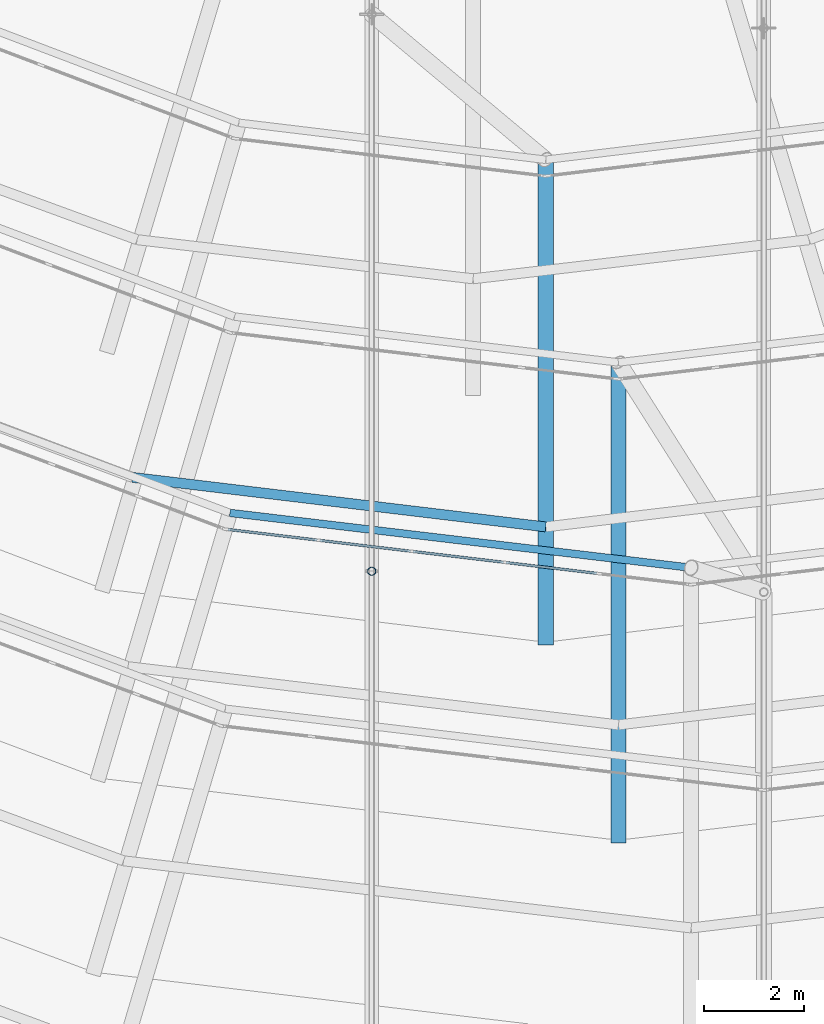
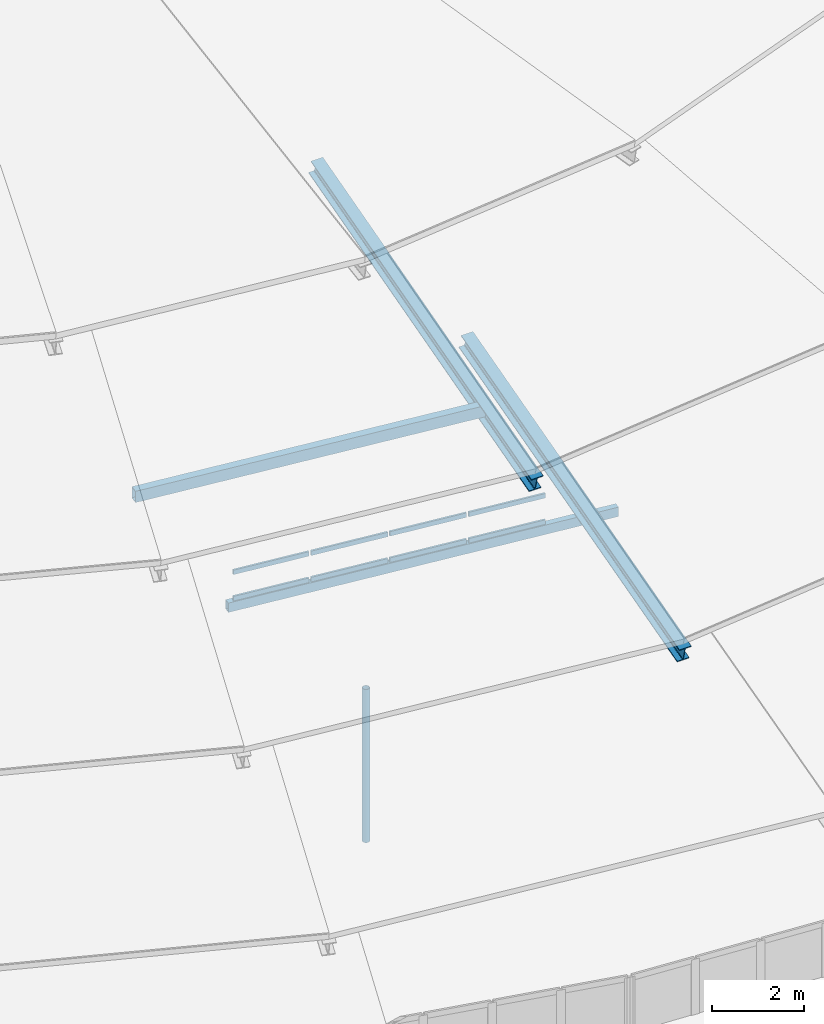
# One storey, part 12 of 173: 13 members, 1 element without a shape of its own.
"""IFC4 building model written with IfcOpenShell, lengths in metres."""

import ifcopenshell
import ifcopenshell.guid

model = None  # the IFC model being written
_history = None  # IfcOwnerHistory: only IFC2X3 demands one
_inside = {}  # id of a spatial element -> (the spatial element, [elements in it])
_under = {}  # id of a project, library or spatial element -> (it, [spatial elements below it])
_declared = {}  # id of a project -> (the project, [libraries it declares])
_typed = {}  # id of a type object -> (the type object, [elements of that type])
_made_of = {}  # id of a material, layer set ... -> (it, [elements and type objects made of it])


def new_model(schema):
    """Start an empty IFC model of exactly this schema.

    Asked for "IFC4X3", IfcOpenShell would pick the latest addendum, in which some entities
    have other attributes; the version numbers below select the first issue.
    IFC2X3 requires an IfcOwnerHistory on every rooted entity: one is made here for all.
    """
    global model, _history
    if schema == "IFC4X3":
        model = ifcopenshell.file(schema_version=(4, 3, 0, 0))
    else:
        model = ifcopenshell.file(schema=schema)
    _inside.clear()
    _under.clear()
    _declared.clear()
    _typed.clear()
    _made_of.clear()
    _history = None
    if model.schema == "IFC2X3":
        org = make("IfcOrganization", Name="unknown")
        user = make(
            "IfcPersonAndOrganization",
            ThePerson=make("IfcPerson", FamilyName="unknown"),
            TheOrganization=org,
        )
        app = make(
            "IfcApplication",
            ApplicationDeveloper=org,
            Version="unknown",
            ApplicationFullName="unknown",
            ApplicationIdentifier="unknown",
        )
        _history = make(
            "IfcOwnerHistory",
            OwningUser=user,
            OwningApplication=app,
            ChangeAction="ADDED",
            CreationDate=0,
        )
    return model


def make(cls, **values):
    """One entity of the class cls with the attributes given. An attribute that is None is left unset."""
    return model.create_entity(
        cls, **{name: value for name, value in values.items() if value is not None}
    )


def rooted(cls, **values):
    """An entity with a GlobalId (a new one), such as an element, a storey or a relation."""
    return make(cls, GlobalId=ifcopenshell.guid.new(), OwnerHistory=_history, **values)


def si_unit(unit_type, name, prefix=None):
    """IfcSIUnit, for example si_unit("LENGTHUNIT", "METRE", prefix="MILLI")."""
    return make("IfcSIUnit", UnitType=unit_type, Prefix=prefix, Name=name)


def assignment(units):
    """IfcUnitAssignment: the units of a project."""
    return None if units is None else make("IfcUnitAssignment", Units=units)


def point(xyz):
    """IfcCartesianPoint."""
    return None if xyz is None else make("IfcCartesianPoint", Coordinates=xyz)


def direction(xyz):
    """IfcDirection."""
    return None if xyz is None else make("IfcDirection", DirectionRatios=xyz)


def frame(location, z_axis=None, x_axis=None):
    """IfcAxis2Placement3D, a coordinate frame: its origin and axes. An axis left out is left unset."""
    return make(
        "IfcAxis2Placement3D",
        Location=point(location),
        Axis=direction(z_axis),
        RefDirection=direction(x_axis),
    )


def frame_2d(location, x_axis=None):
    """IfcAxis2Placement2D, a coordinate frame in the plane: its origin and x axis."""
    return make(
        "IfcAxis2Placement2D", Location=point(location), RefDirection=direction(x_axis)
    )


def origin():
    """The frame at (0, 0, 0) with its axes left unset."""
    return frame((0.0, 0.0, 0.0))


def origin_2d():
    """The frame at (0, 0) in the plane with its x axis left unset."""
    return frame_2d((0.0, 0.0))


def place(relative_to, where):
    """IfcLocalPlacement: puts the frame where relative to a parent placement (None: the world)."""
    return make(
        "IfcLocalPlacement", PlacementRelTo=relative_to, RelativePlacement=where
    )


def context(
    kind, dimensions, precision=None, world=None, true_north=None, identifier=None
):
    """IfcGeometricRepresentationContext, for example the 3D "Model" context."""
    return make(
        "IfcGeometricRepresentationContext",
        ContextIdentifier=identifier,
        ContextType=kind,
        CoordinateSpaceDimension=dimensions,
        Precision=precision,
        WorldCoordinateSystem=world,
        TrueNorth=true_north,
    )


def subcontext(parent, identifier, kind, view, scale=None):
    """IfcGeometricRepresentationSubContext, for example "Body" below "Model"."""
    return make(
        "IfcGeometricRepresentationSubContext",
        ContextIdentifier=identifier,
        ContextType=kind,
        ParentContext=parent,
        TargetScale=scale,
        TargetView=view,
    )


def project(units=None, contexts=None):
    """IfcProject with its units and contexts."""
    return rooted(
        "IfcProject",
        Name="project",
        RepresentationContexts=contexts,
        UnitsInContext=assignment(units),
    )


def spatial(cls, under=None, at=None, **own):
    """A site, building, storey or space (cls), placed at a placement, below another one or the project."""
    s = rooted(cls, ObjectPlacement=at, **own)
    if under is not None:
        _under.setdefault(under.id(), (under, []))[1].append(s)
    return s


def profile(cls, at=None, kind="AREA", **sizes):
    """A parametric profile (cls). Its sizes go by their IFC names, for example OverallWidth=200.0."""
    return make(cls, ProfileType=kind, Position=at, **sizes)


def rectangle(**sizes):
    """IfcRectangleProfileDef."""
    return profile("IfcRectangleProfileDef", **sizes)


def hollow_rectangle(**sizes):
    """IfcRectangleHollowProfileDef."""
    return profile("IfcRectangleHollowProfileDef", **sizes)


def hollow_circle(**sizes):
    """IfcCircleHollowProfileDef."""
    return profile("IfcCircleHollowProfileDef", **sizes)


def i_section(**sizes):
    """IfcIShapeProfileDef."""
    return profile("IfcIShapeProfileDef", **sizes)


def extrude(swept, where, along, depth):
    """IfcExtrudedAreaSolid: the profile swept, set in the frame where, extruded along a direction by depth."""
    return make(
        "IfcExtrudedAreaSolid",
        SweptArea=swept,
        Position=where,
        ExtrudedDirection=direction(along),
        Depth=depth,
    )


def shape(context_of_items, identifier, shape_type, items):
    """IfcShapeRepresentation: the items that make up one representation, for example the "Body"."""
    return make(
        "IfcShapeRepresentation",
        ContextOfItems=context_of_items,
        RepresentationIdentifier=identifier,
        RepresentationType=shape_type,
        Items=items,
    )


def material(Name=None, Category=None):
    """IfcMaterial."""
    return make("IfcMaterial", Name=Name, Category=Category)


def material_profile(
    of_material, cross_section, Name=None, Category=None, Priority=None
):
    """IfcMaterialProfile: a cross section and its material."""
    return make(
        "IfcMaterialProfile",
        Name=Name,
        Material=of_material,
        Profile=cross_section,
        Priority=Priority,
        Category=Category,
    )


def profile_set(profiles, Name=None, composite=None):
    """IfcMaterialProfileSet."""
    return make(
        "IfcMaterialProfileSet",
        Name=Name,
        MaterialProfiles=profiles,
        CompositeProfile=composite,
    )


def made_of(thing, what):
    """Note that an element or type object is made of a material, layer set ...; save() writes the relation."""
    if what is not None:
        _made_of.setdefault(what.id(), (what, []))[1].append(thing)
    return thing


def type_object(cls, material=None, **own):
    """A type object (cls), such as IfcWallType, which elements share."""
    return made_of(rooted(cls, **own), material)


def element(
    cls,
    number,
    at=None,
    inside=None,
    cuts=None,
    type_object=None,
    material=None,
    context=None,
    identifier="Body",
    shape_type=None,
    held_by="IfcProductDefinitionShape",
    body=None,
    shapes=None,
    **own,
):
    """One element of the class cls, such as IfcWall. Its Tag is "e" and its number.

    at: its placement. inside: the storey or other place that contains it. cuts: it is an
    opening in that element (IfcRelVoidsElement). A single representation is given by context,
    identifier, shape_type and body (its items); several are given by shapes. held_by: the class
    of the entity that holds the representations. save() writes the other relations.
    """
    e = rooted(cls, Tag="e%d" % number, ObjectPlacement=at, **own)
    if body is not None:
        shapes = [shape(context, identifier, shape_type, body)]
    if shapes is not None:
        e.Representation = make(held_by, Representations=shapes)
    if inside is not None:
        _inside.setdefault(inside.id(), (inside, []))[1].append(e)
    if cuts is not None:
        rooted(
            "IfcRelVoidsElement", RelatingBuildingElement=cuts, RelatedOpeningElement=e
        )
    if type_object is not None:
        _typed.setdefault(type_object.id(), (type_object, []))[1].append(e)
    return made_of(e, material)


def aggregate(whole, parts):
    """IfcRelAggregates: a whole, such as a stair, and the parts it consists of."""
    return rooted("IfcRelAggregates", RelatingObject=whole, RelatedObjects=parts)


def save(model, path):
    """Write the relations noted so far, then the file.

    IfcRelAggregates (storeys below a building ...), IfcRelContainedInSpatialStructure (elements
    in a storey), IfcRelDefinesByType, IfcRelAssociatesMaterial and IfcRelDeclares: one each for
    every whole, place, type object, material and project.
    """
    for whole, parts in _under.values():
        aggregate(whole, parts)
    for where, things in _inside.values():
        rooted(
            "IfcRelContainedInSpatialStructure",
            RelatedElements=things,
            RelatingStructure=where,
        )
    for kind, things in _typed.values():
        rooted("IfcRelDefinesByType", RelatedObjects=things, RelatingType=kind)
    for what, things in _made_of.values():
        rooted("IfcRelAssociatesMaterial", RelatedObjects=things, RelatingMaterial=what)
    for by, libraries in _declared.values():
        rooted("IfcRelDeclares", RelatingContext=by, RelatedDefinitions=libraries)
    model.write(path)


model = new_model("IFC4")

# Units and contexts
model_context = context("Model", 3, precision=1e-05, world=origin(), true_north=direction((0.0, 1.0)))
body_context = subcontext(model_context, "Body", "Model", "MODEL_VIEW")
ifc_project = project(units=[si_unit("LENGTHUNIT", "METRE"), si_unit("AREAUNIT", "SQUARE_METRE"), si_unit("VOLUMEUNIT", "CUBIC_METRE"), si_unit("PLANEANGLEUNIT", "RADIAN"), si_unit("MASSUNIT", "GRAM", prefix="KILO")], contexts=[model_context])

# Site, building, storey
site_placement = place(None, origin())
site = spatial("IfcSite", under=ifc_project, at=site_placement, CompositionType="ELEMENT")
building_placement = place(site_placement, origin())
building = spatial("IfcBuilding", under=site, at=building_placement, Name="Glasvene Arena", CompositionType="ELEMENT")
storey_placement = place(building_placement, frame((0.0, 0.0, 28.800048828125)))
storey = spatial("IfcBuildingStorey", under=building, at=storey_placement, Name="RF", CompositionType="ELEMENT", Elevation=28.800048828125)

# Curtain wall, members
ifc_material_1 = material(Name="Low-emissivity laminated double glazing", Category="glass")
curtain_wall_type = type_object("IfcCurtainWallType", Name="CW-PET2-936x75", PredefinedType="USERDEFINED", material=ifc_material_1)
curtain_wall_placement = place(storey_placement, frame((81.25830078125, 40.505615234375, 0.0)))
curtain_wall = element("IfcCurtainWall", 1, at=curtain_wall_placement, inside=storey, type_object=curtain_wall_type, Name="Petal ring 2-3 clerestory curtain wall 18", ObjectType="CURTAIN WALL", PredefinedType="USERDEFINED")
ifc_material_2 = material(Name="Anodised architectural aluminium", Category="aluminium")
ifc_material_profile_1 = material_profile(ifc_material_2, rectangle(XDim=0.050048828125, YDim=0.1201171875, at=origin_2d()), Name="ALU TRANSOM 50x120")
ifc_profile_set_1 = profile_set([ifc_material_profile_1], Name="Anodised architectural aluminium")
member_type_1 = type_object("IfcMemberType", Name="CW-TRN-120", PredefinedType="USERDEFINED", material=ifc_profile_set_1)
member_1_placement = place(storey_placement, frame((81.30810546875, 40.499755859375, 5.204833984375), z_axis=(0.993000424629, -0.118110781413, 0.0), x_axis=(0.118110781413, 0.993000424629, 0.0)))
member_1 = element("IfcMember", 2, at=member_1_placement, type_object=member_type_1, Name="CW-092 transom 1.1", ObjectType="TRANSOM", PredefinedType="USERDEFINED", context=body_context, shape_type="SweptSolid", body=[
    extrude(rectangle(XDim=0.050048828125, YDim=0.1201171875, at=origin_2d()), origin(), (0.0, 0.0, 1.0), 1.796142578125),
])
member_2_placement = place(storey_placement, frame((81.30810546875, 40.499755859375, 5.905029296875), z_axis=(0.993000424629, -0.118110781413, 0.0), x_axis=(0.118110781413, 0.993000424629, 0.0)))
member_2 = element("IfcMember", 3, at=member_2_placement, type_object=member_type_1, Name="CW-092 transom 1.2", ObjectType="TRANSOM", PredefinedType="USERDEFINED", context=body_context, shape_type="SweptSolid", body=[
    extrude(rectangle(XDim=0.050048828125, YDim=0.1201171875, at=origin_2d()), origin(), (0.0, 0.0, 1.0), 1.796142578125),
])
member_3_placement = place(storey_placement, frame((83.1416015625, 40.281494140625, 5.204833984375), z_axis=(0.993002503147, -0.118093305247, 0.0), x_axis=(0.118093305247, 0.993002503147, 0.0)))
member_3 = element("IfcMember", 4, at=member_3_placement, type_object=member_type_1, Name="CW-092 transom 2.1", ObjectType="TRANSOM", PredefinedType="USERDEFINED", context=body_context, shape_type="SweptSolid", body=[
    extrude(rectangle(XDim=0.050048828125, YDim=0.1201171875, at=origin_2d()), origin(), (0.0, 0.0, 1.0), 1.8212890625),
])
member_4_placement = place(storey_placement, frame((83.1416015625, 40.281494140625, 5.905029296875), z_axis=(0.993002503147, -0.118093305247, 0.0), x_axis=(0.118093305247, 0.993002503147, 0.0)))
member_4 = element("IfcMember", 5, at=member_4_placement, type_object=member_type_1, Name="CW-092 transom 2.2", ObjectType="TRANSOM", PredefinedType="USERDEFINED", context=body_context, shape_type="SweptSolid", body=[
    extrude(rectangle(XDim=0.050048828125, YDim=0.1201171875, at=origin_2d()), origin(), (0.0, 0.0, 1.0), 1.8212890625),
])
member_5_placement = place(storey_placement, frame((84.999755859375, 40.060546875, 5.204833984375), z_axis=(0.99298864877, -0.118209743314, 0.0), x_axis=(0.118209743314, 0.99298864877, 0.0)))
member_5 = element("IfcMember", 6, at=member_5_placement, type_object=member_type_1, Name="CW-092 transom 3.1", ObjectType="TRANSOM", PredefinedType="USERDEFINED", context=body_context, shape_type="SweptSolid", body=[
    extrude(rectangle(XDim=0.050048828125, YDim=0.1201171875, at=origin_2d()), origin(), (0.0, 0.0, 1.0), 1.821533203125),
])
member_6_placement = place(storey_placement, frame((84.999755859375, 40.060546875, 5.905029296875), z_axis=(0.99298864877, -0.118209743314, 0.0), x_axis=(0.118209743314, 0.99298864877, 0.0)))
member_6 = element("IfcMember", 7, at=member_6_placement, type_object=member_type_1, Name="CW-092 transom 3.2", ObjectType="TRANSOM", PredefinedType="USERDEFINED", context=body_context, shape_type="SweptSolid", body=[
    extrude(rectangle(XDim=0.050048828125, YDim=0.1201171875, at=origin_2d()), origin(), (0.0, 0.0, 1.0), 1.821533203125),
])
member_7_placement = place(storey_placement, frame((86.858154296875, 39.83935546875, 5.204833984375), z_axis=(0.992986775597, -0.118225477332, 0.0), x_axis=(0.118225477332, 0.992986775597, 0.0)))
member_7 = element("IfcMember", 8, at=member_7_placement, type_object=member_type_1, Name="CW-092 transom 4.1", ObjectType="TRANSOM", PredefinedType="USERDEFINED", context=body_context, shape_type="SweptSolid", body=[
    extrude(rectangle(XDim=0.050048828125, YDim=0.1201171875, at=origin_2d()), origin(), (0.0, 0.0, 1.0), 1.8212890625),
])
member_8_placement = place(storey_placement, frame((86.858154296875, 39.83935546875, 5.905029296875), z_axis=(0.992986775597, -0.118225477332, 0.0), x_axis=(0.118225477332, 0.992986775597, 0.0)))
member_8 = element("IfcMember", 9, at=member_8_placement, type_object=member_type_1, Name="CW-092 transom 4.2", ObjectType="TRANSOM", PredefinedType="USERDEFINED", context=body_context, shape_type="SweptSolid", body=[
    extrude(rectangle(XDim=0.050048828125, YDim=0.1201171875, at=origin_2d()), origin(), (0.0, 0.0, 1.0), 1.8212890625),
])
aggregate(curtain_wall, [member_1, member_2, member_3, member_4, member_5, member_6, member_7, member_8])

# Members
ifc_material_3 = material(Name="Steel S355J2", Category="steel")
ifc_material_profile_2 = material_profile(ifc_material_3, i_section(OverallWidth=0.300048828125, OverallDepth=0.39990234375, WebThickness=0.013427734375, FlangeThickness=0.02392578125, FilletRadius=0.027099609375, at=origin_2d()), Name="HEB 400")
ifc_profile_set_2 = profile_set([ifc_material_profile_2], Name="Steel S355J2")
member_type_2 = type_object("IfcMemberType", Name="MB-CHORD-HEB400", PredefinedType="CHORD", material=ifc_profile_set_2)
member_9_placement = place(storey_placement, frame((89.10009765625, 34.300048828125, 4.75), z_axis=(0.0, 0.964752985197, 0.263157134717), x_axis=(-1.0, 0.0, 0.0)))
element("IfcMember", 10, at=member_9_placement, inside=storey, type_object=member_type_2, Name="Petal ring 3 radial rib 19", PredefinedType="CHORD", context=body_context, shape_type="SweptSolid", body=[
    extrude(i_section(OverallWidth=0.300048828125, OverallDepth=0.39990234375, WebThickness=0.013427734375, FlangeThickness=0.02392578125, FilletRadius=0.027099609375, at=origin_2d()), origin(), (0.0, 0.0, 1.0), 9.87939453125),
])
member_10_placement = place(storey_placement, frame((87.64990234375, 38.25, 7.39990234375), z_axis=(0.0, 0.964112944989, 0.265492427962), x_axis=(-1.0, 0.0, 0.0)))
element("IfcMember", 11, at=member_10_placement, inside=storey, type_object=member_type_2, Name="Petal ring 4 radial rib 19", PredefinedType="CHORD", context=body_context, shape_type="SweptSolid", body=[
    extrude(i_section(OverallWidth=0.300048828125, OverallDepth=0.39990234375, WebThickness=0.013427734375, FlangeThickness=0.02392578125, FilletRadius=0.027099609375, at=origin_2d()), origin(), (0.0, 0.0, 1.0), 9.98193359375),
])
ifc_material_profile_3 = material_profile(ifc_material_3, hollow_rectangle(XDim=0.14990234375, YDim=0.25, WallThickness=0.010009765625, at=origin_2d()), Name="RHS 250x150x10.0")
ifc_profile_set_3 = profile_set([ifc_material_profile_3], Name="Steel S355J2")
member_type_3 = type_object("IfcMemberType", Name="MB-PURLIN-RHS250", PredefinedType="PURLIN", material=ifc_profile_set_3)
member_11_placement = place(storey_placement, frame((81.34912109375, 40.82958984375, 4.781982421875), z_axis=(0.993002332555, -0.118094739685, 0.0), x_axis=(0.118094739685, 0.993002332555, 0.0)))
element("IfcMember", 12, at=member_11_placement, inside=storey, type_object=member_type_3, Name="Petal ring 2 ridge purlin 18", PredefinedType="PURLIN", context=body_context, shape_type="SweptSolid", body=[
    extrude(hollow_rectangle(XDim=0.14990234375, YDim=0.25, WallThickness=0.010009765625, at=origin_2d()), origin(), (0.0, 0.0, 1.0), 9.265869140625),
])
ifc_material_profile_4 = material_profile(ifc_material_3, hollow_rectangle(XDim=0.199951171875, YDim=0.300048828125, WallThickness=0.012451171875, at=origin_2d()), Name="RHS 300x200x12.5")
ifc_profile_set_4 = profile_set([ifc_material_profile_4], Name="Steel S355J2")
member_type_4 = type_object("IfcMemberType", Name="MB-PURLIN-RHS300", PredefinedType="PURLIN", material=ifc_profile_set_4)
member_12_placement = place(storey_placement, frame((79.406494140625, 41.5380859375, 8.00048828125), z_axis=(0.992893526149, -0.119006074347, 0.0), x_axis=(0.119006074347, 0.992893526149, 0.0)))
element("IfcMember", 13, at=member_12_placement, inside=storey, type_object=member_type_4, Name="Petal ring 4 outer purlin 18", PredefinedType="PURLIN", context=body_context, shape_type="SweptSolid", body=[
    extrude(hollow_rectangle(XDim=0.199951171875, YDim=0.300048828125, WallThickness=0.012451171875, at=origin_2d()), origin(), (0.0, 0.0, 1.0), 8.302490234375),
])
ifc_material_profile_5 = material_profile(ifc_material_3, hollow_circle(Radius=0.084228515625, WallThickness=0.008056640625, at=origin_2d()), Name="CHS 168.3x8.0")
ifc_profile_set_5 = profile_set([ifc_material_profile_5], Name="Steel S355J2")
member_type_5 = type_object("IfcMemberType", Name="MB-WEB-CHS168", PredefinedType="BRACE", material=ifc_profile_set_5)
member_13_placement = place(storey_placement, frame((84.17822265625, 39.66552734375, -1.753173828125), z_axis=(0.0, 0.0, 1.0), x_axis=(1.0, 0.0, 0.0)))
element("IfcMember", 14, at=member_13_placement, inside=storey, type_object=member_type_5, Name="Cable-truss vertical strut NS06-01", PredefinedType="BRACE", context=body_context, shape_type="SweptSolid", body=[
    extrude(hollow_circle(Radius=0.084228515625, WallThickness=0.008056640625, at=origin_2d()), origin(), (0.0, 0.0, 1.0), 4.08203125),
])

save(model, "model.ifc")
